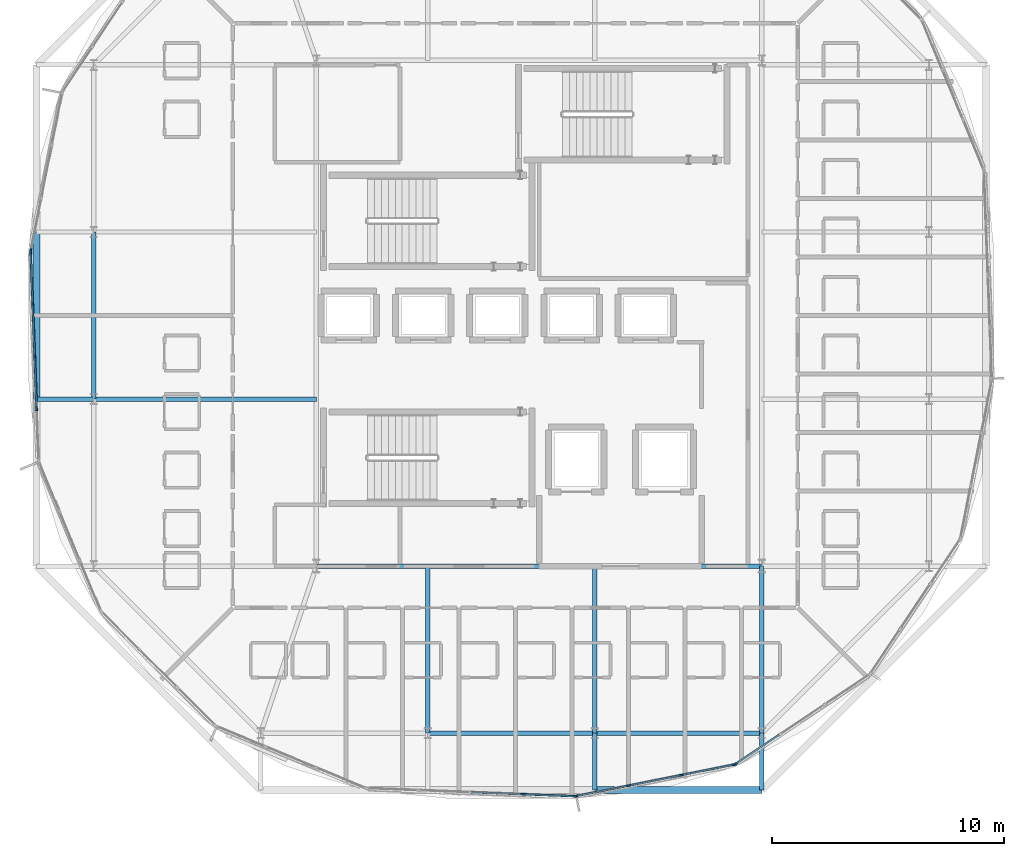
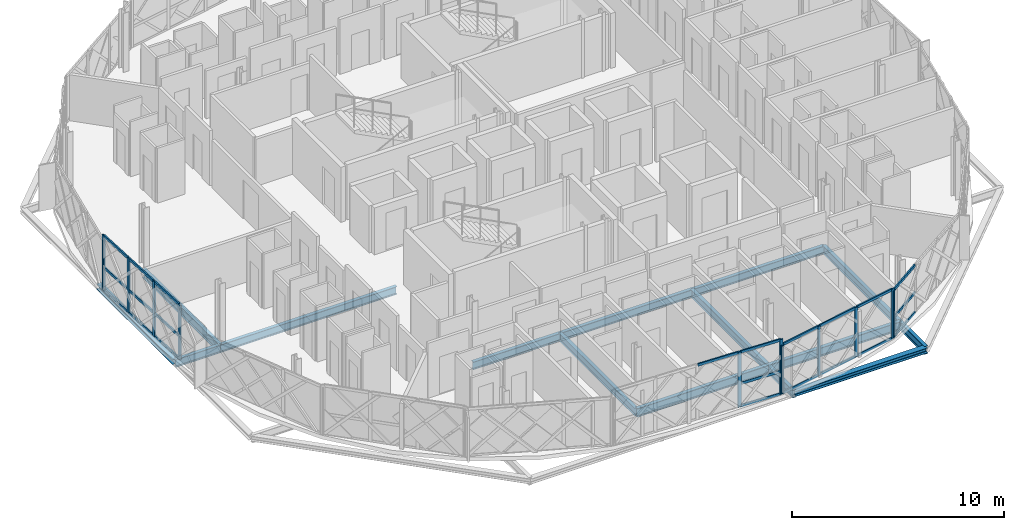
# One storey, part 5 of 24: 34 members, 13 beams, 5 elements without a shape of their own.
"""IFC4 building model written with IfcOpenShell, lengths in metres."""

import ifcopenshell
import ifcopenshell.guid

model = None  # the IFC model being written
_history = None  # IfcOwnerHistory: only IFC2X3 demands one
_inside = {}  # id of a spatial element -> (the spatial element, [elements in it])
_under = {}  # id of a project, library or spatial element -> (it, [spatial elements below it])
_declared = {}  # id of a project -> (the project, [libraries it declares])
_typed = {}  # id of a type object -> (the type object, [elements of that type])
_made_of = {}  # id of a material, layer set ... -> (it, [elements and type objects made of it])


def new_model(schema):
    """Start an empty IFC model of exactly this schema.

    Asked for "IFC4X3", IfcOpenShell would pick the latest addendum, in which some entities
    have other attributes; the version numbers below select the first issue.
    IFC2X3 requires an IfcOwnerHistory on every rooted entity: one is made here for all.
    """
    global model, _history
    if schema == "IFC4X3":
        model = ifcopenshell.file(schema_version=(4, 3, 0, 0))
    else:
        model = ifcopenshell.file(schema=schema)
    _inside.clear()
    _under.clear()
    _declared.clear()
    _typed.clear()
    _made_of.clear()
    _history = None
    if model.schema == "IFC2X3":
        org = make("IfcOrganization", Name="unknown")
        user = make(
            "IfcPersonAndOrganization",
            ThePerson=make("IfcPerson", FamilyName="unknown"),
            TheOrganization=org,
        )
        app = make(
            "IfcApplication",
            ApplicationDeveloper=org,
            Version="unknown",
            ApplicationFullName="unknown",
            ApplicationIdentifier="unknown",
        )
        _history = make(
            "IfcOwnerHistory",
            OwningUser=user,
            OwningApplication=app,
            ChangeAction="ADDED",
            CreationDate=0,
        )
    return model


def make(cls, **values):
    """One entity of the class cls with the attributes given. An attribute that is None is left unset."""
    return model.create_entity(
        cls, **{name: value for name, value in values.items() if value is not None}
    )


def rooted(cls, **values):
    """An entity with a GlobalId (a new one), such as an element, a storey or a relation."""
    return make(cls, GlobalId=ifcopenshell.guid.new(), OwnerHistory=_history, **values)


def si_unit(unit_type, name, prefix=None):
    """IfcSIUnit, for example si_unit("LENGTHUNIT", "METRE", prefix="MILLI")."""
    return make("IfcSIUnit", UnitType=unit_type, Prefix=prefix, Name=name)


def assignment(units):
    """IfcUnitAssignment: the units of a project."""
    return None if units is None else make("IfcUnitAssignment", Units=units)


def point(xyz):
    """IfcCartesianPoint."""
    return None if xyz is None else make("IfcCartesianPoint", Coordinates=xyz)


def direction(xyz):
    """IfcDirection."""
    return None if xyz is None else make("IfcDirection", DirectionRatios=xyz)


def frame(location, z_axis=None, x_axis=None):
    """IfcAxis2Placement3D, a coordinate frame: its origin and axes. An axis left out is left unset."""
    return make(
        "IfcAxis2Placement3D",
        Location=point(location),
        Axis=direction(z_axis),
        RefDirection=direction(x_axis),
    )


def frame_2d(location, x_axis=None):
    """IfcAxis2Placement2D, a coordinate frame in the plane: its origin and x axis."""
    return make(
        "IfcAxis2Placement2D", Location=point(location), RefDirection=direction(x_axis)
    )


def origin():
    """The frame at (0, 0, 0) with its axes left unset."""
    return frame((0.0, 0.0, 0.0))


def origin_2d():
    """The frame at (0, 0) in the plane with its x axis left unset."""
    return frame_2d((0.0, 0.0))


def place(relative_to, where):
    """IfcLocalPlacement: puts the frame where relative to a parent placement (None: the world)."""
    return make(
        "IfcLocalPlacement", PlacementRelTo=relative_to, RelativePlacement=where
    )


def context(
    kind, dimensions, precision=None, world=None, true_north=None, identifier=None
):
    """IfcGeometricRepresentationContext, for example the 3D "Model" context."""
    return make(
        "IfcGeometricRepresentationContext",
        ContextIdentifier=identifier,
        ContextType=kind,
        CoordinateSpaceDimension=dimensions,
        Precision=precision,
        WorldCoordinateSystem=world,
        TrueNorth=true_north,
    )


def subcontext(parent, identifier, kind, view, scale=None):
    """IfcGeometricRepresentationSubContext, for example "Body" below "Model"."""
    return make(
        "IfcGeometricRepresentationSubContext",
        ContextIdentifier=identifier,
        ContextType=kind,
        ParentContext=parent,
        TargetScale=scale,
        TargetView=view,
    )


def project(units=None, contexts=None):
    """IfcProject with its units and contexts."""
    return rooted(
        "IfcProject",
        Name="project",
        RepresentationContexts=contexts,
        UnitsInContext=assignment(units),
    )


def spatial(cls, under=None, at=None, **own):
    """A site, building, storey or space (cls), placed at a placement, below another one or the project."""
    s = rooted(cls, ObjectPlacement=at, **own)
    if under is not None:
        _under.setdefault(under.id(), (under, []))[1].append(s)
    return s


def profile(cls, at=None, kind="AREA", **sizes):
    """A parametric profile (cls). Its sizes go by their IFC names, for example OverallWidth=200.0."""
    return make(cls, ProfileType=kind, Position=at, **sizes)


def rectangle(**sizes):
    """IfcRectangleProfileDef."""
    return profile("IfcRectangleProfileDef", **sizes)


def i_section(**sizes):
    """IfcIShapeProfileDef."""
    return profile("IfcIShapeProfileDef", **sizes)


def extrude(swept, where, along, depth):
    """IfcExtrudedAreaSolid: the profile swept, set in the frame where, extruded along a direction by depth."""
    return make(
        "IfcExtrudedAreaSolid",
        SweptArea=swept,
        Position=where,
        ExtrudedDirection=direction(along),
        Depth=depth,
    )


def shape(context_of_items, identifier, shape_type, items):
    """IfcShapeRepresentation: the items that make up one representation, for example the "Body"."""
    return make(
        "IfcShapeRepresentation",
        ContextOfItems=context_of_items,
        RepresentationIdentifier=identifier,
        RepresentationType=shape_type,
        Items=items,
    )


def material(Name=None, Category=None):
    """IfcMaterial."""
    return make("IfcMaterial", Name=Name, Category=Category)


def layer(
    of_material, thickness, ventilated=None, Name=None, Category=None, Priority=None
):
    """IfcMaterialLayer: one layer of a wall or slab, of a material (None: an air gap)."""
    return make(
        "IfcMaterialLayer",
        Material=of_material,
        LayerThickness=thickness,
        IsVentilated=ventilated,
        Name=Name,
        Category=Category,
        Priority=Priority,
    )


def layer_set(layers, Name=None):
    """IfcMaterialLayerSet."""
    return make("IfcMaterialLayerSet", MaterialLayers=layers, LayerSetName=Name)


def material_profile(
    of_material, cross_section, Name=None, Category=None, Priority=None
):
    """IfcMaterialProfile: a cross section and its material."""
    return make(
        "IfcMaterialProfile",
        Name=Name,
        Material=of_material,
        Profile=cross_section,
        Priority=Priority,
        Category=Category,
    )


def profile_set(profiles, Name=None, composite=None):
    """IfcMaterialProfileSet."""
    return make(
        "IfcMaterialProfileSet",
        Name=Name,
        MaterialProfiles=profiles,
        CompositeProfile=composite,
    )


def made_of(thing, what):
    """Note that an element or type object is made of a material, layer set ...; save() writes the relation."""
    if what is not None:
        _made_of.setdefault(what.id(), (what, []))[1].append(thing)
    return thing


def type_object(cls, material=None, **own):
    """A type object (cls), such as IfcWallType, which elements share."""
    return made_of(rooted(cls, **own), material)


def element(
    cls,
    number,
    at=None,
    inside=None,
    cuts=None,
    type_object=None,
    material=None,
    context=None,
    identifier="Body",
    shape_type=None,
    held_by="IfcProductDefinitionShape",
    body=None,
    shapes=None,
    **own,
):
    """One element of the class cls, such as IfcWall. Its Tag is "e" and its number.

    at: its placement. inside: the storey or other place that contains it. cuts: it is an
    opening in that element (IfcRelVoidsElement). A single representation is given by context,
    identifier, shape_type and body (its items); several are given by shapes. held_by: the class
    of the entity that holds the representations. save() writes the other relations.
    """
    e = rooted(cls, Tag="e%d" % number, ObjectPlacement=at, **own)
    if body is not None:
        shapes = [shape(context, identifier, shape_type, body)]
    if shapes is not None:
        e.Representation = make(held_by, Representations=shapes)
    if inside is not None:
        _inside.setdefault(inside.id(), (inside, []))[1].append(e)
    if cuts is not None:
        rooted(
            "IfcRelVoidsElement", RelatingBuildingElement=cuts, RelatedOpeningElement=e
        )
    if type_object is not None:
        _typed.setdefault(type_object.id(), (type_object, []))[1].append(e)
    return made_of(e, material)


def aggregate(whole, parts):
    """IfcRelAggregates: a whole, such as a stair, and the parts it consists of."""
    return rooted("IfcRelAggregates", RelatingObject=whole, RelatedObjects=parts)


def save(model, path):
    """Write the relations noted so far, then the file.

    IfcRelAggregates (storeys below a building ...), IfcRelContainedInSpatialStructure (elements
    in a storey), IfcRelDefinesByType, IfcRelAssociatesMaterial and IfcRelDeclares: one each for
    every whole, place, type object, material and project.
    """
    for whole, parts in _under.values():
        aggregate(whole, parts)
    for where, things in _inside.values():
        rooted(
            "IfcRelContainedInSpatialStructure",
            RelatedElements=things,
            RelatingStructure=where,
        )
    for kind, things in _typed.values():
        rooted("IfcRelDefinesByType", RelatedObjects=things, RelatingType=kind)
    for what, things in _made_of.values():
        rooted("IfcRelAssociatesMaterial", RelatedObjects=things, RelatingMaterial=what)
    for by, libraries in _declared.values():
        rooted("IfcRelDeclares", RelatingContext=by, RelatedDefinitions=libraries)
    model.write(path)


model = new_model("IFC4")

# Units and contexts
model_context = context("Model", 3, precision=1e-05, world=origin(), true_north=direction((0.0, 1.0)))
body_context = subcontext(model_context, "Body", "Model", "MODEL_VIEW")
ifc_project = project(units=[si_unit("LENGTHUNIT", "METRE"), si_unit("AREAUNIT", "SQUARE_METRE"), si_unit("VOLUMEUNIT", "CUBIC_METRE"), si_unit("PLANEANGLEUNIT", "RADIAN"), si_unit("MASSUNIT", "GRAM", prefix="KILO")], contexts=[model_context])

# Site, building, storey
site_placement = place(None, origin())
site = spatial("IfcSite", under=ifc_project, at=site_placement, CompositionType="ELEMENT")
building_placement = place(site_placement, origin())
building = spatial("IfcBuilding", under=site, at=building_placement, Name="Zevrakil Square Congress Hotel", CompositionType="ELEMENT")
storey_placement = place(building_placement, frame((0.0, 0.0, 31.699951171875)))
storey = spatial("IfcBuildingStorey", under=building, at=storey_placement, Name="L09", CompositionType="ELEMENT", Elevation=31.699951171875)

# Beams
ifc_material_1 = material(Name="Steel S355", Category="steel")
ifc_material_profile_1 = material_profile(ifc_material_1, i_section(OverallWidth=0.18994140625, OverallDepth=0.449951171875, WebThickness=0.009521484375, FlangeThickness=0.0146484375, FilletRadius=0.02099609375, at=origin_2d()), Name="IPE 450")
ifc_profile_set_1 = profile_set([ifc_material_profile_1], Name="Steel S355")
beam_type_1 = type_object("IfcBeamType", Name="BM-IPE450", PredefinedType="BEAM", material=ifc_profile_set_1)
beam_1_placement = place(storey_placement, frame((136.800048828125, 16.800048828125, -0.449951171875), z_axis=(1.0, 0.0, 0.0), x_axis=(0.0, 1.0, 0.0)))
element("IfcBeam", 1, at=beam_1_placement, inside=storey, type_object=beam_type_1, Name="L09 drum core perimeter tie beam DCB-01", PredefinedType="BEAM", context=body_context, shape_type="SweptSolid", body=[
    extrude(i_section(OverallWidth=0.18994140625, OverallDepth=0.449951171875, WebThickness=0.009521484375, FlangeThickness=0.0146484375, FilletRadius=0.02099609375, at=origin_2d()), origin(), (0.0, 0.0, 1.0), 19.199951171875),
])
for number, where, z_axis, x_axis, name in (
    (2, (141.60009765625, 16.800048828125, -0.449951171875), (0.0, -1.0, 0.0), (1.0, 0.0, 0.0), "L09 drum radial floor beam DRI-02"),
    (3, (148.800048828125, 16.800048828125, -0.449951171875), (0.0, -1.0, 0.0), (1.0, 0.0, 0.0), "L09 drum radial floor beam DRI-03"),
):
    element("IfcBeam", number, at=place(storey_placement, frame(where, z_axis=z_axis, x_axis=x_axis)), inside=storey, type_object=beam_type_1, Name=name, PredefinedType="BEAM", context=body_context, shape_type="SweptSolid", body=[
        extrude(i_section(OverallWidth=0.18994140625, OverallDepth=0.449951171875, WebThickness=0.009521484375, FlangeThickness=0.0146484375, FilletRadius=0.02099609375, at=origin_2d()), origin(), (0.0, 0.0, 1.0), 7.199951171875),
    ])
beam_2_placement = place(storey_placement, frame((148.800048828125, 9.60009765625, -0.449951171875), z_axis=(0.0, -1.0, 0.0), x_axis=(1.0, 0.0, 0.0)))
element("IfcBeam", 4, at=beam_2_placement, inside=storey, type_object=beam_type_1, Name="L09 drum radial edge cantilever beam DRO-03", PredefinedType="BEAM", context=body_context, shape_type="SweptSolid", body=[
    extrude(i_section(OverallWidth=0.18994140625, OverallDepth=0.449951171875, WebThickness=0.009521484375, FlangeThickness=0.0146484375, FilletRadius=0.02099609375, at=origin_2d()), origin(), (0.0, 0.0, 1.0), 2.455078125),
])
beam_3_placement = place(storey_placement, frame((156.0, 16.800048828125, -0.449951171875), z_axis=(0.0, -1.0, 0.0), x_axis=(1.0, 0.0, 0.0)))
element("IfcBeam", 5, at=beam_3_placement, inside=storey, type_object=beam_type_1, Name="L09 drum radial floor beam DRI-04", PredefinedType="BEAM", context=body_context, shape_type="SweptSolid", body=[
    extrude(i_section(OverallWidth=0.18994140625, OverallDepth=0.449951171875, WebThickness=0.009521484375, FlangeThickness=0.0146484375, FilletRadius=0.02099609375, at=origin_2d()), origin(), (0.0, 0.0, 1.0), 7.199951171875),
])
beam_4_placement = place(storey_placement, frame((156.0, 9.60009765625, -0.449951171875), z_axis=(0.0, -1.0, 0.0), x_axis=(1.0, 0.0, 0.0)))
element("IfcBeam", 6, at=beam_4_placement, inside=storey, type_object=beam_type_1, Name="L09 drum radial edge cantilever beam DRO-04", PredefinedType="BEAM", context=body_context, shape_type="SweptSolid", body=[
    extrude(i_section(OverallWidth=0.18994140625, OverallDepth=0.449951171875, WebThickness=0.009521484375, FlangeThickness=0.0146484375, FilletRadius=0.02099609375, at=origin_2d()), origin(), (0.0, 0.0, 1.0), 2.455078125),
])
beam_5_placement = place(storey_placement, frame((136.800048828125, 24.0, -0.449951171875), z_axis=(-1.0, 0.0, 0.0), x_axis=(0.0, -1.0, 0.0)))
element("IfcBeam", 7, at=beam_5_placement, inside=storey, type_object=beam_type_1, Name="L09 drum radial floor beam DRI-15", PredefinedType="BEAM", context=body_context, shape_type="SweptSolid", body=[
    extrude(i_section(OverallWidth=0.18994140625, OverallDepth=0.449951171875, WebThickness=0.009521484375, FlangeThickness=0.0146484375, FilletRadius=0.02099609375, at=origin_2d()), origin(), (0.0, 0.0, 1.0), 9.60009765625),
])
beam_6_placement = place(storey_placement, frame((127.199951171875, 24.0, -0.449951171875), z_axis=(-1.0, 0.0, 0.0), x_axis=(0.0, -1.0, 0.0)))
element("IfcBeam", 8, at=beam_6_placement, inside=storey, type_object=beam_type_1, Name="L09 drum radial edge cantilever beam DRO-15", PredefinedType="BEAM", context=body_context, shape_type="SweptSolid", body=[
    extrude(i_section(OverallWidth=0.18994140625, OverallDepth=0.449951171875, WebThickness=0.009521484375, FlangeThickness=0.0146484375, FilletRadius=0.02099609375, at=origin_2d()), origin(), (0.0, 0.0, 1.0), 2.454833984375),
])
ifc_material_2 = material(Name="Steel S355", Category="steel")
ifc_material_profile_2 = material_profile(ifc_material_2, i_section(OverallWidth=0.199951171875, OverallDepth=0.5, WebThickness=0.01025390625, FlangeThickness=0.01611328125, FilletRadius=0.02099609375, at=origin_2d()), Name="IPE 500")
ifc_profile_set_2 = profile_set([ifc_material_profile_2], Name="Steel S355")
beam_type_2 = type_object("IfcBeamType", Name="BM-IPE500", PredefinedType="BEAM", material=ifc_profile_set_2)
for number, where, z_axis, x_axis, name in (
    (9, (141.60009765625, 9.60009765625, -0.474853515625), (1.0, 0.0, 0.0), (0.0, 1.0, 0.0), "L09 drum ring girder DRB-02"),
    (10, (148.800048828125, 9.60009765625, -0.474853515625), (1.0, 0.0, 0.0), (0.0, 1.0, 0.0), "L09 drum ring girder DRB-03"),
    (11, (127.199951171875, 31.199951171875, -0.474853515625), (0.0, -1.0, 0.0), (1.0, 0.0, 0.0), "L09 drum ring girder DRB-14"),
):
    element("IfcBeam", number, at=place(storey_placement, frame(where, z_axis=z_axis, x_axis=x_axis)), inside=storey, type_object=beam_type_2, Name=name, PredefinedType="BEAM", context=body_context, shape_type="SweptSolid", body=[
        extrude(i_section(OverallWidth=0.199951171875, OverallDepth=0.5, WebThickness=0.01025390625, FlangeThickness=0.01611328125, FilletRadius=0.02099609375, at=origin_2d()), origin(), (0.0, 0.0, 1.0), 7.199951171875),
    ])

# Curtain wall, members
ifc_material_3 = material(Name="Aluminium Anodised Bronze", Category="aluminium")
ifc_layer_1 = layer(ifc_material_3, 0.179931640625)
ifc_layer_set_1 = layer_set([ifc_layer_1], Name="Aluminium Anodised Bronze")
curtain_wall_type_1 = type_object("IfcCurtainWallType", Name="CW-L09-720", PredefinedType="USERDEFINED", material=ifc_layer_set_1)
curtain_wall_1_placement = place(storey_placement, origin())
curtain_wall_1 = element("IfcCurtainWall", 12, at=curtain_wall_1_placement, inside=storey, type_object=curtain_wall_type_1, Name="L09 diamond curtain wall CW-L09-0253", ObjectType="GLAZED CURTAIN WALL", PredefinedType="USERDEFINED")
ifc_material_4 = material(Name="Aluminium Anodised Bronze", Category="aluminium")
ifc_material_profile_3 = material_profile(ifc_material_4, rectangle(XDim=0.074951171875, YDim=0.14990234375, at=origin_2d()), Name="ALU 75x150")
ifc_profile_set_3 = profile_set([ifc_material_profile_3], Name="Aluminium Anodised Bronze")
member_type_1 = type_object("IfcMemberType", Name="CWM-ALU75x150", PredefinedType="USERDEFINED", material=ifc_profile_set_3)
member_1_placement = place(storey_placement, frame((148.018798828125, 6.896728515625, 0.030029296875), z_axis=(0.98078922397, 0.195070495322, 0.0), x_axis=(-0.195070495322, 0.98078922397, 0.0)))
member_1 = element("IfcMember", 13, at=member_1_placement, type_object=member_type_1, Name="CW-106 transom 1.1", ObjectType="TRANSOM", PredefinedType="USERDEFINED", context=body_context, shape_type="SweptSolid", body=[
    extrude(rectangle(XDim=0.074951171875, YDim=0.14990234375, at=origin_2d()), origin(), (0.0, 0.0, 1.0), 2.245361328125),
])
member_2_placement = place(storey_placement, frame((148.018798828125, 6.896728515625, 2.824951171875), z_axis=(0.98078922397, 0.195070495322, 0.0), x_axis=(-0.195070495322, 0.98078922397, 0.0)))
member_2 = element("IfcMember", 14, at=member_2_placement, type_object=member_type_1, Name="CW-106 transom 1.2", ObjectType="TRANSOM", PredefinedType="USERDEFINED", context=body_context, shape_type="SweptSolid", body=[
    extrude(rectangle(XDim=0.074951171875, YDim=0.14990234375, at=origin_2d()), origin(), (0.0, 0.0, 1.0), 2.245361328125),
])
member_3_placement = place(storey_placement, frame((150.27978515625, 7.346435546875, 0.030029296875), z_axis=(0.980786492568, 0.195084227953, 0.0), x_axis=(-0.195084227953, 0.980786492568, 0.0)))
member_3 = element("IfcMember", 15, at=member_3_placement, type_object=member_type_1, Name="CW-106 transom 2.1", ObjectType="TRANSOM", PredefinedType="USERDEFINED", context=body_context, shape_type="SweptSolid", body=[
    extrude(rectangle(XDim=0.074951171875, YDim=0.14990234375, at=origin_2d()), origin(), (0.0, 0.0, 1.0), 2.275146484375),
])
member_4_placement = place(storey_placement, frame((150.27978515625, 7.346435546875, 2.824951171875), z_axis=(0.980786492568, 0.195084227953, 0.0), x_axis=(-0.195084227953, 0.980786492568, 0.0)))
member_4 = element("IfcMember", 16, at=member_4_placement, type_object=member_type_1, Name="CW-106 transom 2.2", ObjectType="TRANSOM", PredefinedType="USERDEFINED", context=body_context, shape_type="SweptSolid", body=[
    extrude(rectangle(XDim=0.074951171875, YDim=0.14990234375, at=origin_2d()), origin(), (0.0, 0.0, 1.0), 2.275146484375),
])
member_5_placement = place(storey_placement, frame((152.570068359375, 7.802001953125, 0.030029296875), z_axis=(0.98078922397, 0.195070495322, 0.0), x_axis=(-0.195070495322, 0.98078922397, 0.0)))
member_5 = element("IfcMember", 17, at=member_5_placement, type_object=member_type_1, Name="CW-106 transom 3.1", ObjectType="TRANSOM", PredefinedType="USERDEFINED", context=body_context, shape_type="SweptSolid", body=[
    extrude(rectangle(XDim=0.074951171875, YDim=0.14990234375, at=origin_2d()), origin(), (0.0, 0.0, 1.0), 2.245361328125),
])
member_6_placement = place(storey_placement, frame((152.570068359375, 7.802001953125, 2.824951171875), z_axis=(0.98078922397, 0.195070495322, 0.0), x_axis=(-0.195070495322, 0.98078922397, 0.0)))
member_6 = element("IfcMember", 18, at=member_6_placement, type_object=member_type_1, Name="CW-106 transom 3.2", ObjectType="TRANSOM", PredefinedType="USERDEFINED", context=body_context, shape_type="SweptSolid", body=[
    extrude(rectangle(XDim=0.074951171875, YDim=0.14990234375, at=origin_2d()), origin(), (0.0, 0.0, 1.0), 2.245361328125),
])

curtain_wall_2_placement = place(storey_placement, origin())
curtain_wall_2 = element("IfcCurtainWall", 19, at=curtain_wall_2_placement, inside=storey, type_object=curtain_wall_type_1, Name="L09 diamond curtain wall CW-L09-0254", ObjectType="GLAZED CURTAIN WALL", PredefinedType="USERDEFINED")
member_7_placement = place(storey_placement, frame((154.881103515625, 8.28515625, 0.030029296875), z_axis=(0.831464280743, 0.555578212179, 0.0), x_axis=(-0.555578212179, 0.831464280743, 0.0)))
member_7 = element("IfcMember", 20, at=member_7_placement, type_object=member_type_1, Name="CW-106 transom 1.1", ObjectType="TRANSOM", PredefinedType="USERDEFINED", context=body_context, shape_type="SweptSolid", body=[
    extrude(rectangle(XDim=0.074951171875, YDim=0.14990234375, at=origin_2d()), origin(), (0.0, 0.0, 1.0), 2.2451171875),
])
member_8_placement = place(storey_placement, frame((154.881103515625, 8.28515625, 1.1572265625), z_axis=(0.831464280743, 0.555578212179, 0.0), x_axis=(-0.555578212179, 0.831464280743, 0.0)))
member_8 = element("IfcMember", 21, at=member_8_placement, type_object=member_type_1, Name="CW-106 transom 1.2", ObjectType="TRANSOM", PredefinedType="USERDEFINED", context=body_context, shape_type="SweptSolid", body=[
    extrude(rectangle(XDim=0.074951171875, YDim=0.14990234375, at=origin_2d()), origin(), (0.0, 0.0, 1.0), 2.2451171875),
])
member_9_placement = place(storey_placement, frame((154.881103515625, 8.28515625, 2.72509765625), z_axis=(0.831464280743, 0.555578212179, 0.0), x_axis=(-0.555578212179, 0.831464280743, 0.0)))
member_9 = element("IfcMember", 22, at=member_9_placement, type_object=member_type_1, Name="CW-106 transom 1.3", ObjectType="TRANSOM", PredefinedType="USERDEFINED", context=body_context, shape_type="SweptSolid", body=[
    extrude(rectangle(XDim=0.074951171875, YDim=0.14990234375, at=origin_2d()), origin(), (0.0, 0.0, 1.0), 2.2451171875),
])

ifc_material_5 = material(Name="Aluminium Anodised Bronze", Category="aluminium")
ifc_layer_2 = layer(ifc_material_5, 0.179931640625)
ifc_layer_set_2 = layer_set([ifc_layer_2], Name="Aluminium Anodised Bronze")
curtain_wall_type_2 = type_object("IfcCurtainWallType", Name="CW-L09-900", PredefinedType="USERDEFINED", material=ifc_layer_set_2)
curtain_wall_3_placement = place(storey_placement, origin())
curtain_wall_3 = element("IfcCurtainWall", 23, at=curtain_wall_3_placement, inside=storey, type_object=curtain_wall_type_2, Name="L09 diamond curtain wall CW-L09-0266", ObjectType="GLAZED CURTAIN WALL", PredefinedType="USERDEFINED")
member_10_placement = place(storey_placement, frame((124.4873046875, 30.300048828125, 0.030029296875), z_axis=(0.038186533987, -0.999270628319, 0.0), x_axis=(0.999270628319, 0.038186533987, 0.0)))
member_10 = element("IfcMember", 24, at=member_10_placement, type_object=member_type_1, Name="CW-108 transom 1.1", ObjectType="TRANSOM", PredefinedType="USERDEFINED", context=body_context, shape_type="SweptSolid", body=[
    extrude(rectangle(XDim=0.074951171875, YDim=0.14990234375, at=origin_2d()), origin(), (0.0, 0.0, 1.0), 2.167236328125),
])
member_11_placement = place(storey_placement, frame((124.4873046875, 30.300048828125, 1.33154296875), z_axis=(0.038186533987, -0.999270628319, 0.0), x_axis=(0.999270628319, 0.038186533987, 0.0)))
member_11 = element("IfcMember", 25, at=member_11_placement, type_object=member_type_1, Name="CW-108 transom 1.2", ObjectType="TRANSOM", PredefinedType="USERDEFINED", context=body_context, shape_type="SweptSolid", body=[
    extrude(rectangle(XDim=0.074951171875, YDim=0.14990234375, at=origin_2d()), origin(), (0.0, 0.0, 1.0), 2.167236328125),
])
member_12_placement = place(storey_placement, frame((124.4873046875, 30.300048828125, 3.14013671875), z_axis=(0.038186533987, -0.999270628319, 0.0), x_axis=(0.999270628319, 0.038186533987, 0.0)))
member_12 = element("IfcMember", 26, at=member_12_placement, type_object=member_type_1, Name="CW-108 transom 1.3", ObjectType="TRANSOM", PredefinedType="USERDEFINED", context=body_context, shape_type="SweptSolid", body=[
    extrude(rectangle(XDim=0.074951171875, YDim=0.14990234375, at=origin_2d()), origin(), (0.0, 0.0, 1.0), 2.167236328125),
])
member_13_placement = place(storey_placement, frame((124.572509765625, 28.07421875, 0.030029296875), z_axis=(0.038113064338, -0.999273433214, 0.0), x_axis=(0.999273433214, 0.038113064338, 0.0)))
member_13 = element("IfcMember", 27, at=member_13_placement, type_object=member_type_1, Name="CW-108 transom 2.1", ObjectType="TRANSOM", PredefinedType="USERDEFINED", context=body_context, shape_type="SweptSolid", body=[
    extrude(rectangle(XDim=0.074951171875, YDim=0.14990234375, at=origin_2d()), origin(), (0.0, 0.0, 1.0), 2.197265625),
])
member_14_placement = place(storey_placement, frame((124.572509765625, 28.07421875, 1.33154296875), z_axis=(0.038113064338, -0.999273433214, 0.0), x_axis=(0.999273433214, 0.038113064338, 0.0)))
member_14 = element("IfcMember", 28, at=member_14_placement, type_object=member_type_1, Name="CW-108 transom 2.2", ObjectType="TRANSOM", PredefinedType="USERDEFINED", context=body_context, shape_type="SweptSolid", body=[
    extrude(rectangle(XDim=0.074951171875, YDim=0.14990234375, at=origin_2d()), origin(), (0.0, 0.0, 1.0), 2.197265625),
])
member_15_placement = place(storey_placement, frame((124.572509765625, 28.07421875, 3.14013671875), z_axis=(0.038113064338, -0.999273433214, 0.0), x_axis=(0.999273433214, 0.038113064338, 0.0)))
member_15 = element("IfcMember", 29, at=member_15_placement, type_object=member_type_1, Name="CW-108 transom 2.3", ObjectType="TRANSOM", PredefinedType="USERDEFINED", context=body_context, shape_type="SweptSolid", body=[
    extrude(rectangle(XDim=0.074951171875, YDim=0.14990234375, at=origin_2d()), origin(), (0.0, 0.0, 1.0), 2.197265625),
])
member_16_placement = place(storey_placement, frame((124.65869140625, 25.818603515625, 0.030029296875), z_axis=(0.038219775291, -0.999269357469, 0.0), x_axis=(0.999269357469, 0.038219775291, 0.0)))
member_16 = element("IfcMember", 30, at=member_16_placement, type_object=member_type_1, Name="CW-108 transom 3.1", ObjectType="TRANSOM", PredefinedType="USERDEFINED", context=body_context, shape_type="SweptSolid", body=[
    extrude(rectangle(XDim=0.074951171875, YDim=0.14990234375, at=origin_2d()), origin(), (0.0, 0.0, 1.0), 2.197509765625),
])
member_17_placement = place(storey_placement, frame((124.65869140625, 25.818603515625, 1.33154296875), z_axis=(0.038219775291, -0.999269357469, 0.0), x_axis=(0.999269357469, 0.038219775291, 0.0)))
member_17 = element("IfcMember", 31, at=member_17_placement, type_object=member_type_1, Name="CW-108 transom 3.2", ObjectType="TRANSOM", PredefinedType="USERDEFINED", context=body_context, shape_type="SweptSolid", body=[
    extrude(rectangle(XDim=0.074951171875, YDim=0.14990234375, at=origin_2d()), origin(), (0.0, 0.0, 1.0), 2.197509765625),
])
member_18_placement = place(storey_placement, frame((124.65869140625, 25.818603515625, 3.14013671875), z_axis=(0.038219775291, -0.999269357469, 0.0), x_axis=(0.999269357469, 0.038219775291, 0.0)))
member_18 = element("IfcMember", 32, at=member_18_placement, type_object=member_type_1, Name="CW-108 transom 3.3", ObjectType="TRANSOM", PredefinedType="USERDEFINED", context=body_context, shape_type="SweptSolid", body=[
    extrude(rectangle(XDim=0.074951171875, YDim=0.14990234375, at=origin_2d()), origin(), (0.0, 0.0, 1.0), 2.197509765625),
])

curtain_wall_4_placement = place(storey_placement, origin())
curtain_wall_4 = element("IfcCurtainWall", 33, at=curtain_wall_4_placement, inside=storey, type_object=curtain_wall_type_2, Name="L09 diamond curtain wall CW-L09-0270", ObjectType="GLAZED CURTAIN WALL", PredefinedType="USERDEFINED")
member_19_placement = place(storey_placement, frame((143.478515625, 7.056396484375, 3.14013671875), z_axis=(0.999269357469, -0.038219775291, 0.0), x_axis=(0.038219775291, 0.999269357469, 0.0)))
member_19 = element("IfcMember", 34, at=member_19_placement, type_object=member_type_1, Name="CW-108 transom 3.3", ObjectType="TRANSOM", PredefinedType="USERDEFINED", context=body_context, shape_type="SweptSolid", body=[
    extrude(rectangle(XDim=0.074951171875, YDim=0.14990234375, at=origin_2d()), origin(), (0.0, 0.0, 1.0), 2.197509765625),
])
member_20_placement = place(storey_placement, frame((145.734375, 6.97021484375, 0.030029296875), z_axis=(0.999266323636, -0.038299013644, 0.0), x_axis=(0.038299013644, 0.999266323636, 0.0)))
member_20 = element("IfcMember", 35, at=member_20_placement, type_object=member_type_1, Name="CW-108 transom 4.1", ObjectType="TRANSOM", PredefinedType="USERDEFINED", context=body_context, shape_type="SweptSolid", body=[
    extrude(rectangle(XDim=0.074951171875, YDim=0.14990234375, at=origin_2d()), origin(), (0.0, 0.0, 1.0), 2.16748046875),
])
member_21_placement = place(storey_placement, frame((145.734375, 6.97021484375, 1.33154296875), z_axis=(0.999266323636, -0.038299013644, 0.0), x_axis=(0.038299013644, 0.999266323636, 0.0)))
member_21 = element("IfcMember", 36, at=member_21_placement, type_object=member_type_1, Name="CW-108 transom 4.2", ObjectType="TRANSOM", PredefinedType="USERDEFINED", context=body_context, shape_type="SweptSolid", body=[
    extrude(rectangle(XDim=0.074951171875, YDim=0.14990234375, at=origin_2d()), origin(), (0.0, 0.0, 1.0), 2.16748046875),
])
member_22_placement = place(storey_placement, frame((145.734375, 6.97021484375, 3.14013671875), z_axis=(0.999266323636, -0.038299013644, 0.0), x_axis=(0.038299013644, 0.999266323636, 0.0)))
member_22 = element("IfcMember", 37, at=member_22_placement, type_object=member_type_1, Name="CW-108 transom 4.3", ObjectType="TRANSOM", PredefinedType="USERDEFINED", context=body_context, shape_type="SweptSolid", body=[
    extrude(rectangle(XDim=0.074951171875, YDim=0.14990234375, at=origin_2d()), origin(), (0.0, 0.0, 1.0), 2.16748046875),
])

# Member
ifc_material_6 = material(Name="Aluminium Anodised Bronze", Category="aluminium")
ifc_material_profile_4 = material_profile(ifc_material_6, rectangle(XDim=0.074951171875, YDim=0.179931640625, at=origin_2d()), Name="ALU 75x180")
ifc_profile_set_4 = profile_set([ifc_material_profile_4], Name="Aluminium Anodised Bronze")
member_type_2 = type_object("IfcMemberType", Name="CWM-ALU75x180", PredefinedType="MULLION", material=ifc_profile_set_4)
member_23_placement = place(storey_placement, frame((147.989501953125, 6.890869140625, 0.0), z_axis=(0.0, 0.0, 1.0), x_axis=(-0.195083900459, 0.980786557708, 0.0)))
member_23 = element("IfcMember", 38, at=member_23_placement, type_object=member_type_2, Name="CW-106 mullion 1", PredefinedType="MULLION", context=body_context, shape_type="SweptSolid", body=[
    extrude(rectangle(XDim=0.074951171875, YDim=0.179931640625, at=origin_2d()), origin(), (0.0, 0.0, 1.0), 2.85498046875),
])

member_24_placement = place(storey_placement, frame((150.25048828125, 7.340576171875, 0.0), z_axis=(0.0, 0.0, 1.0), x_axis=(-0.195083900459, 0.980786557708, 0.0)))
member_24 = element("IfcMember", 39, at=member_24_placement, type_object=member_type_2, Name="CW-106 mullion 2", PredefinedType="MULLION", context=body_context, shape_type="SweptSolid", body=[
    extrude(rectangle(XDim=0.074951171875, YDim=0.179931640625, at=origin_2d()), origin(), (0.0, 0.0, 1.0), 2.85498046875),
])

member_25_placement = place(storey_placement, frame((152.540771484375, 7.796142578125, 0.0), z_axis=(0.0, 0.0, 1.0), x_axis=(-0.195083900459, 0.980786557708, 0.0)))
member_25 = element("IfcMember", 40, at=member_25_placement, type_object=member_type_2, Name="CW-106 mullion 3", PredefinedType="MULLION", context=body_context, shape_type="SweptSolid", body=[
    extrude(rectangle(XDim=0.074951171875, YDim=0.179931640625, at=origin_2d()), origin(), (0.0, 0.0, 1.0), 2.85498046875),
])

member_26_placement = place(storey_placement, frame((154.8017578125, 8.245849609375, 0.0), z_axis=(0.0, 0.0, 1.0), x_axis=(-0.195083900459, 0.980786557708, 0.0)))
member_26 = element("IfcMember", 41, at=member_26_placement, type_object=member_type_2, Name="CW-106 mullion 4", PredefinedType="MULLION", context=body_context, shape_type="SweptSolid", body=[
    extrude(rectangle(XDim=0.074951171875, YDim=0.179931640625, at=origin_2d()), origin(), (0.0, 0.0, 1.0), 2.85498046875),
])

aggregate(curtain_wall_1, [member_23, member_24, member_25, member_26, member_1, member_2, member_3, member_4, member_5, member_6])

member_27_placement = place(storey_placement, frame((154.85595703125, 8.268310546875, 0.0), z_axis=(0.0, 0.0, 1.0), x_axis=(-0.555576098128, 0.831465693332, 0.0)))
member_27 = element("IfcMember", 42, at=member_27_placement, type_object=member_type_2, Name="CW-106 mullion 1", PredefinedType="MULLION", context=body_context, shape_type="SweptSolid", body=[
    extrude(rectangle(XDim=0.074951171875, YDim=0.179931640625, at=origin_2d()), origin(), (0.0, 0.0, 1.0), 2.755126953125),
])

aggregate(curtain_wall_2, [member_27, member_7, member_8, member_9])

# Curtain wall, member
curtain_wall_5_placement = place(storey_placement, origin())
curtain_wall_5 = element("IfcCurtainWall", 43, at=curtain_wall_5_placement, inside=storey, type_object=curtain_wall_type_1, Name="L09 diamond curtain wall CW-L09-0265", ObjectType="GLAZED CURTAIN WALL", PredefinedType="USERDEFINED")
member_28_placement = place(storey_placement, frame((124.490966796875, 30.389404296875, 0.0), z_axis=(0.0, 0.0, 1.0), x_axis=(0.980786557708, -0.195083900459, 0.0)))
member_28 = element("IfcMember", 44, at=member_28_placement, type_object=member_type_2, Name="CW-106 mullion 4", PredefinedType="MULLION", context=body_context, shape_type="SweptSolid", body=[
    extrude(rectangle(XDim=0.074951171875, YDim=0.179931640625, at=origin_2d()), origin(), (0.0, 0.0, 1.0), 2.85498046875),
])
aggregate(curtain_wall_5, [member_28])

# Member
member_29_placement = place(storey_placement, frame((124.486083984375, 30.330078125, 0.0), z_axis=(0.0, 0.0, 1.0), x_axis=(0.999269786869, 0.03820854684, 0.0)))
member_29 = element("IfcMember", 45, at=member_29_placement, type_object=member_type_2, Name="CW-108 mullion 1", PredefinedType="MULLION", context=body_context, shape_type="SweptSolid", body=[
    extrude(rectangle(XDim=0.074951171875, YDim=0.179931640625, at=origin_2d()), origin(), (0.0, 0.0, 1.0), 3.170166015625),
])

member_30_placement = place(storey_placement, frame((124.5712890625, 28.104248046875, 0.0), z_axis=(0.0, 0.0, 1.0), x_axis=(0.999269786869, 0.03820854684, 0.0)))
member_30 = element("IfcMember", 46, at=member_30_placement, type_object=member_type_2, Name="CW-108 mullion 2", PredefinedType="MULLION", context=body_context, shape_type="SweptSolid", body=[
    extrude(rectangle(XDim=0.074951171875, YDim=0.179931640625, at=origin_2d()), origin(), (0.0, 0.0, 1.0), 3.170166015625),
])

member_31_placement = place(storey_placement, frame((124.657470703125, 25.8486328125, 0.0), z_axis=(0.0, 0.0, 1.0), x_axis=(0.999269786869, 0.03820854684, 0.0)))
member_31 = element("IfcMember", 47, at=member_31_placement, type_object=member_type_2, Name="CW-108 mullion 3", PredefinedType="MULLION", context=body_context, shape_type="SweptSolid", body=[
    extrude(rectangle(XDim=0.074951171875, YDim=0.179931640625, at=origin_2d()), origin(), (0.0, 0.0, 1.0), 3.170166015625),
])

member_32_placement = place(storey_placement, frame((124.74365234375, 23.593017578125, 0.0), z_axis=(0.0, 0.0, 1.0), x_axis=(0.999269786869, 0.03820854684, 0.0)))
member_32 = element("IfcMember", 48, at=member_32_placement, type_object=member_type_2, Name="CW-108 mullion 4", PredefinedType="MULLION", context=body_context, shape_type="SweptSolid", body=[
    extrude(rectangle(XDim=0.074951171875, YDim=0.179931640625, at=origin_2d()), origin(), (0.0, 0.0, 1.0), 3.170166015625),
])

aggregate(curtain_wall_3, [member_29, member_30, member_31, member_32, member_10, member_11, member_12, member_13, member_14, member_15, member_16, member_17, member_18])

member_33_placement = place(storey_placement, frame((145.704345703125, 6.97119140625, 0.0), z_axis=(0.0, 0.0, 1.0), x_axis=(0.03820854684, 0.999269786869, 0.0)))
member_33 = element("IfcMember", 49, at=member_33_placement, type_object=member_type_2, Name="CW-108 mullion 4", PredefinedType="MULLION", context=body_context, shape_type="SweptSolid", body=[
    extrude(rectangle(XDim=0.074951171875, YDim=0.179931640625, at=origin_2d()), origin(), (0.0, 0.0, 1.0), 3.170166015625),
])

member_34_placement = place(storey_placement, frame((147.929931640625, 6.88623046875, 0.0), z_axis=(0.0, 0.0, 1.0), x_axis=(0.03820854684, 0.999269786869, 0.0)))
member_34 = element("IfcMember", 50, at=member_34_placement, type_object=member_type_2, Name="CW-108 mullion 5", PredefinedType="MULLION", context=body_context, shape_type="SweptSolid", body=[
    extrude(rectangle(XDim=0.074951171875, YDim=0.179931640625, at=origin_2d()), origin(), (0.0, 0.0, 1.0), 3.170166015625),
])

aggregate(curtain_wall_4, [member_33, member_34, member_19, member_20, member_21, member_22])

# Beams
ifc_material_7 = material(Name="Steel S355", Category="steel")
ifc_material_profile_5 = material_profile(ifc_material_7, i_section(OverallWidth=0.300048828125, OverallDepth=0.300048828125, WebThickness=0.010986328125, FlangeThickness=0.01904296875, FilletRadius=0.027099609375, at=origin_2d()), Name="HEB 300")
ifc_profile_set_5 = profile_set([ifc_material_profile_5], Name="Steel S355")
beam_type_3 = type_object("IfcBeamType", Name="SPD-RHS250", PredefinedType="SPANDREL", material=ifc_profile_set_5)
for number, where, z_axis, x_axis, name in (
    (51, (148.800048828125, 7.14501953125, -0.375), (1.0, 0.0, 0.0), (0.0, 1.0, 0.0), "L09 drum edge spandrel beam DSP-02"),
    (52, (124.7451171875, 31.199951171875, -0.375), (0.0, -1.0, 0.0), (1.0, 0.0, 0.0), "L09 drum edge spandrel beam DSP-13"),
):
    element("IfcBeam", number, at=place(storey_placement, frame(where, z_axis=z_axis, x_axis=x_axis)), inside=storey, type_object=beam_type_3, Name=name, PredefinedType="SPANDREL", context=body_context, shape_type="SweptSolid", body=[
        extrude(i_section(OverallWidth=0.300048828125, OverallDepth=0.300048828125, WebThickness=0.010986328125, FlangeThickness=0.01904296875, FilletRadius=0.027099609375, at=origin_2d()), origin(), (0.0, 0.0, 1.0), 7.199951171875),
    ])

save(model, "model.ifc")
